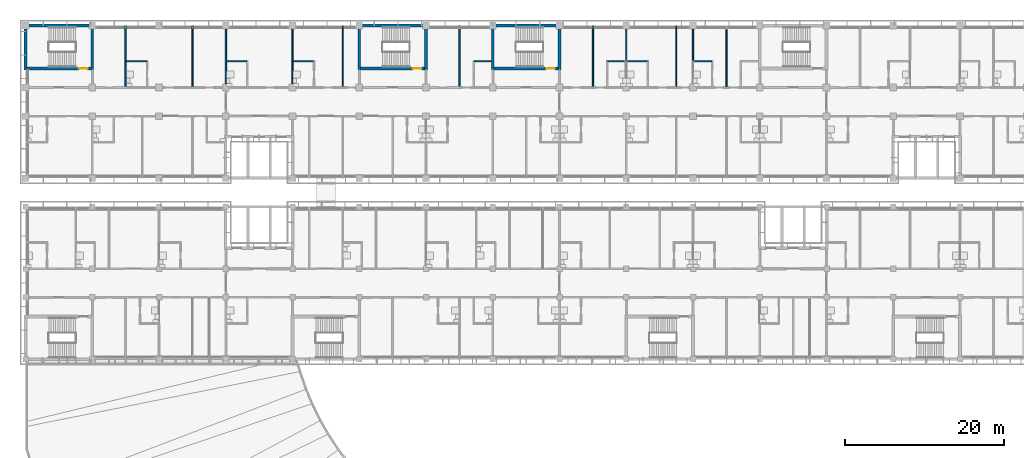
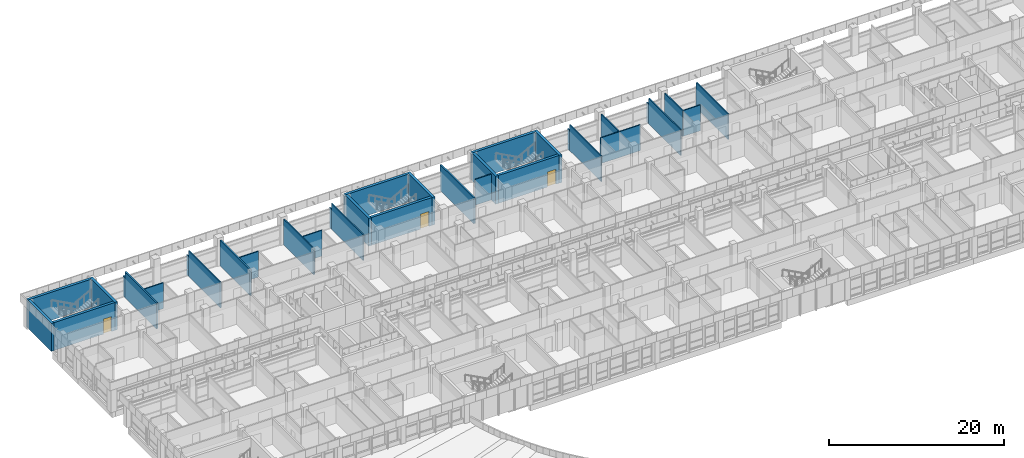
# One storey, part 43 of 74: 34 walls, 3 doors, 3 openings.
"""IFC4 building model written with IfcOpenShell, lengths in metres."""

import ifcopenshell
import ifcopenshell.guid

model = None  # the IFC model being written
_history = None  # IfcOwnerHistory: only IFC2X3 demands one
_inside = {}  # id of a spatial element -> (the spatial element, [elements in it])
_under = {}  # id of a project, library or spatial element -> (it, [spatial elements below it])
_declared = {}  # id of a project -> (the project, [libraries it declares])
_typed = {}  # id of a type object -> (the type object, [elements of that type])
_made_of = {}  # id of a material, layer set ... -> (it, [elements and type objects made of it])


def new_model(schema):
    """Start an empty IFC model of exactly this schema.

    Asked for "IFC4X3", IfcOpenShell would pick the latest addendum, in which some entities
    have other attributes; the version numbers below select the first issue.
    IFC2X3 requires an IfcOwnerHistory on every rooted entity: one is made here for all.
    """
    global model, _history
    if schema == "IFC4X3":
        model = ifcopenshell.file(schema_version=(4, 3, 0, 0))
    else:
        model = ifcopenshell.file(schema=schema)
    _inside.clear()
    _under.clear()
    _declared.clear()
    _typed.clear()
    _made_of.clear()
    _history = None
    if model.schema == "IFC2X3":
        org = make("IfcOrganization", Name="unknown")
        user = make(
            "IfcPersonAndOrganization",
            ThePerson=make("IfcPerson", FamilyName="unknown"),
            TheOrganization=org,
        )
        app = make(
            "IfcApplication",
            ApplicationDeveloper=org,
            Version="unknown",
            ApplicationFullName="unknown",
            ApplicationIdentifier="unknown",
        )
        _history = make(
            "IfcOwnerHistory",
            OwningUser=user,
            OwningApplication=app,
            ChangeAction="ADDED",
            CreationDate=0,
        )
    return model


def make(cls, **values):
    """One entity of the class cls with the attributes given. An attribute that is None is left unset."""
    return model.create_entity(
        cls, **{name: value for name, value in values.items() if value is not None}
    )


def rooted(cls, **values):
    """An entity with a GlobalId (a new one), such as an element, a storey or a relation."""
    return make(cls, GlobalId=ifcopenshell.guid.new(), OwnerHistory=_history, **values)


def si_unit(unit_type, name, prefix=None):
    """IfcSIUnit, for example si_unit("LENGTHUNIT", "METRE", prefix="MILLI")."""
    return make("IfcSIUnit", UnitType=unit_type, Prefix=prefix, Name=name)


def assignment(units):
    """IfcUnitAssignment: the units of a project."""
    return None if units is None else make("IfcUnitAssignment", Units=units)


def point(xyz):
    """IfcCartesianPoint."""
    return None if xyz is None else make("IfcCartesianPoint", Coordinates=xyz)


def direction(xyz):
    """IfcDirection."""
    return None if xyz is None else make("IfcDirection", DirectionRatios=xyz)


def frame(location, z_axis=None, x_axis=None):
    """IfcAxis2Placement3D, a coordinate frame: its origin and axes. An axis left out is left unset."""
    return make(
        "IfcAxis2Placement3D",
        Location=point(location),
        Axis=direction(z_axis),
        RefDirection=direction(x_axis),
    )


def frame_2d(location, x_axis=None):
    """IfcAxis2Placement2D, a coordinate frame in the plane: its origin and x axis."""
    return make(
        "IfcAxis2Placement2D", Location=point(location), RefDirection=direction(x_axis)
    )


def origin():
    """The frame at (0, 0, 0) with its axes left unset."""
    return frame((0.0, 0.0, 0.0))


def place(relative_to, where):
    """IfcLocalPlacement: puts the frame where relative to a parent placement (None: the world)."""
    return make(
        "IfcLocalPlacement", PlacementRelTo=relative_to, RelativePlacement=where
    )


def context(
    kind, dimensions, precision=None, world=None, true_north=None, identifier=None
):
    """IfcGeometricRepresentationContext, for example the 3D "Model" context."""
    return make(
        "IfcGeometricRepresentationContext",
        ContextIdentifier=identifier,
        ContextType=kind,
        CoordinateSpaceDimension=dimensions,
        Precision=precision,
        WorldCoordinateSystem=world,
        TrueNorth=true_north,
    )


def subcontext(parent, identifier, kind, view, scale=None):
    """IfcGeometricRepresentationSubContext, for example "Body" below "Model"."""
    return make(
        "IfcGeometricRepresentationSubContext",
        ContextIdentifier=identifier,
        ContextType=kind,
        ParentContext=parent,
        TargetScale=scale,
        TargetView=view,
    )


def project(units=None, contexts=None):
    """IfcProject with its units and contexts."""
    return rooted(
        "IfcProject",
        Name="project",
        RepresentationContexts=contexts,
        UnitsInContext=assignment(units),
    )


def spatial(cls, under=None, at=None, **own):
    """A site, building, storey or space (cls), placed at a placement, below another one or the project."""
    s = rooted(cls, ObjectPlacement=at, **own)
    if under is not None:
        _under.setdefault(under.id(), (under, []))[1].append(s)
    return s


def profile(cls, at=None, kind="AREA", **sizes):
    """A parametric profile (cls). Its sizes go by their IFC names, for example OverallWidth=200.0."""
    return make(cls, ProfileType=kind, Position=at, **sizes)


def rectangle(**sizes):
    """IfcRectangleProfileDef."""
    return profile("IfcRectangleProfileDef", **sizes)


def extrude(swept, where, along, depth):
    """IfcExtrudedAreaSolid: the profile swept, set in the frame where, extruded along a direction by depth."""
    return make(
        "IfcExtrudedAreaSolid",
        SweptArea=swept,
        Position=where,
        ExtrudedDirection=direction(along),
        Depth=depth,
    )


def shape(context_of_items, identifier, shape_type, items):
    """IfcShapeRepresentation: the items that make up one representation, for example the "Body"."""
    return make(
        "IfcShapeRepresentation",
        ContextOfItems=context_of_items,
        RepresentationIdentifier=identifier,
        RepresentationType=shape_type,
        Items=items,
    )


def material(Name=None, Category=None):
    """IfcMaterial."""
    return make("IfcMaterial", Name=Name, Category=Category)


def layer(
    of_material, thickness, ventilated=None, Name=None, Category=None, Priority=None
):
    """IfcMaterialLayer: one layer of a wall or slab, of a material (None: an air gap)."""
    return make(
        "IfcMaterialLayer",
        Material=of_material,
        LayerThickness=thickness,
        IsVentilated=ventilated,
        Name=Name,
        Category=Category,
        Priority=Priority,
    )


def layer_set(layers, Name=None):
    """IfcMaterialLayerSet."""
    return make("IfcMaterialLayerSet", MaterialLayers=layers, LayerSetName=Name)


def made_of(thing, what):
    """Note that an element or type object is made of a material, layer set ...; save() writes the relation."""
    if what is not None:
        _made_of.setdefault(what.id(), (what, []))[1].append(thing)
    return thing


def type_object(cls, material=None, **own):
    """A type object (cls), such as IfcWallType, which elements share."""
    return made_of(rooted(cls, **own), material)


def element(
    cls,
    number,
    at=None,
    inside=None,
    cuts=None,
    type_object=None,
    material=None,
    context=None,
    identifier="Body",
    shape_type=None,
    held_by="IfcProductDefinitionShape",
    body=None,
    shapes=None,
    **own,
):
    """One element of the class cls, such as IfcWall. Its Tag is "e" and its number.

    at: its placement. inside: the storey or other place that contains it. cuts: it is an
    opening in that element (IfcRelVoidsElement). A single representation is given by context,
    identifier, shape_type and body (its items); several are given by shapes. held_by: the class
    of the entity that holds the representations. save() writes the other relations.
    """
    e = rooted(cls, Tag="e%d" % number, ObjectPlacement=at, **own)
    if body is not None:
        shapes = [shape(context, identifier, shape_type, body)]
    if shapes is not None:
        e.Representation = make(held_by, Representations=shapes)
    if inside is not None:
        _inside.setdefault(inside.id(), (inside, []))[1].append(e)
    if cuts is not None:
        rooted(
            "IfcRelVoidsElement", RelatingBuildingElement=cuts, RelatedOpeningElement=e
        )
    if type_object is not None:
        _typed.setdefault(type_object.id(), (type_object, []))[1].append(e)
    return made_of(e, material)


def fill(opening, filler):
    """IfcRelFillsElement: the door or window that sits in an opening."""
    return rooted(
        "IfcRelFillsElement",
        RelatingOpeningElement=opening,
        RelatedBuildingElement=filler,
    )


def aggregate(whole, parts):
    """IfcRelAggregates: a whole, such as a stair, and the parts it consists of."""
    return rooted("IfcRelAggregates", RelatingObject=whole, RelatedObjects=parts)


def save(model, path):
    """Write the relations noted so far, then the file.

    IfcRelAggregates (storeys below a building ...), IfcRelContainedInSpatialStructure (elements
    in a storey), IfcRelDefinesByType, IfcRelAssociatesMaterial and IfcRelDeclares: one each for
    every whole, place, type object, material and project.
    """
    for whole, parts in _under.values():
        aggregate(whole, parts)
    for where, things in _inside.values():
        rooted(
            "IfcRelContainedInSpatialStructure",
            RelatedElements=things,
            RelatingStructure=where,
        )
    for kind, things in _typed.values():
        rooted("IfcRelDefinesByType", RelatedObjects=things, RelatingType=kind)
    for what, things in _made_of.values():
        rooted("IfcRelAssociatesMaterial", RelatedObjects=things, RelatingMaterial=what)
    for by, libraries in _declared.values():
        rooted("IfcRelDeclares", RelatingContext=by, RelatedDefinitions=libraries)
    model.write(path)


model = new_model("IFC4")

# Units and contexts
model_context = context("Model", 3, precision=1e-05, world=origin(), true_north=direction((0.0, 1.0)))
body_context = subcontext(model_context, "Body", "Model", "MODEL_VIEW")
ifc_project = project(units=[si_unit("LENGTHUNIT", "METRE"), si_unit("AREAUNIT", "SQUARE_METRE"), si_unit("VOLUMEUNIT", "CUBIC_METRE"), si_unit("PLANEANGLEUNIT", "RADIAN"), si_unit("MASSUNIT", "GRAM", prefix="KILO")], contexts=[model_context])

# Site, building, storey
site_placement = place(None, origin())
site = spatial("IfcSite", under=ifc_project, at=site_placement, CompositionType="ELEMENT")
building_placement = place(site_placement, origin())
building = spatial("IfcBuilding", under=site, at=building_placement, Name="Bougainvillea Quay General Hospital", CompositionType="ELEMENT")
storey_placement = place(building_placement, frame((0.0, 0.0, 21.0)))
storey = spatial("IfcBuildingStorey", under=building, at=storey_placement, Name="L04", CompositionType="ELEMENT", Elevation=21.0)

# Walls
ifc_material_1 = material(Name="Gypsum board partition on steel studs, insulated", Category="steel")
ifc_layer_1 = layer(ifc_material_1, 0.14990234375)
ifc_layer_set_1 = layer_set([ifc_layer_1], Name="Gypsum board partition on steel studs, insulated")
wall_type_1 = type_object("IfcWallType", Name="Partition 150 Gypsum board partition", PredefinedType="PARTITIONING", material=ifc_layer_set_1)
wall_1_placement = place(storey_placement, frame((63.0, 151.875, 0.0), z_axis=(0.0, 0.0, 1.0), x_axis=(0.0, 1.0, 0.0)))
element("IfcWall", 1, at=wall_1_placement, inside=storey, type_object=wall_type_1, Name="Partition 150 mm", PredefinedType="PARTITIONING", context=body_context, shape_type="SweptSolid", body=[
    extrude(rectangle(XDim=7.27490234375, YDim=0.14990234375, at=frame_2d((3.637451171875, 0.0))), origin(), (0.0, 0.0, 1.0), 3.60009765625),
])
wall_2_placement = place(storey_placement, frame((63.0, 159.14990234375, 0.0), z_axis=(0.0, 0.0, 1.0), x_axis=(0.0, 1.0, 0.0)))
element("IfcWall", 2, at=wall_2_placement, inside=storey, type_object=wall_type_1, Name="Partition 150 mm", PredefinedType="PARTITIONING", context=body_context, shape_type="SweptSolid", body=[
    extrude(rectangle(XDim=0.4501953125, YDim=0.14990234375, at=frame_2d((0.22509765625, 0.0))), origin(), (0.0, 0.0, 1.0), 2.780029296875),
])
wall_3_placement = place(storey_placement, frame((75.60009765625, 152.25, 0.0), z_axis=(0.0, 0.0, 1.0), x_axis=(0.0, 1.0, 0.0)))
element("IfcWall", 3, at=wall_3_placement, inside=storey, type_object=wall_type_1, Name="Partition 150 mm", PredefinedType="PARTITIONING", context=body_context, shape_type="SweptSolid", body=[
    extrude(rectangle(XDim=6.89990234375, YDim=0.14990234375, at=frame_2d((3.449951171875, 0.0))), origin(), (0.0, 0.0, 1.0), 3.60009765625),
])
wall_4_placement = place(storey_placement, frame((81.89990234375, 151.875, 0.0), z_axis=(0.0, 0.0, 1.0), x_axis=(0.0, 1.0, 0.0)))
element("IfcWall", 4, at=wall_4_placement, inside=storey, type_object=wall_type_1, Name="Partition 150 mm", PredefinedType="PARTITIONING", context=body_context, shape_type="SweptSolid", body=[
    extrude(rectangle(XDim=7.27490234375, YDim=0.14990234375, at=frame_2d((3.637451171875, 0.0))), origin(), (0.0, 0.0, 1.0), 3.60009765625),
])
wall_5_placement = place(storey_placement, frame((81.89990234375, 159.14990234375, 0.0), z_axis=(0.0, 0.0, 1.0), x_axis=(0.0, 1.0, 0.0)))
element("IfcWall", 5, at=wall_5_placement, inside=storey, type_object=wall_type_1, Name="Partition 150 mm", PredefinedType="PARTITIONING", context=body_context, shape_type="SweptSolid", body=[
    extrude(rectangle(XDim=0.4501953125, YDim=0.14990234375, at=frame_2d((0.22509765625, 0.0))), origin(), (0.0, 0.0, 1.0), 2.780029296875),
])
wall_6_placement = place(storey_placement, frame((113.39990234375, 151.875, 0.0), z_axis=(0.0, 0.0, 1.0), x_axis=(0.0, 1.0, 0.0)))
element("IfcWall", 6, at=wall_6_placement, inside=storey, type_object=wall_type_1, Name="Partition 150 mm", PredefinedType="PARTITIONING", context=body_context, shape_type="SweptSolid", body=[
    extrude(rectangle(XDim=7.27490234375, YDim=0.14990234375, at=frame_2d((3.637451171875, 0.0))), origin(), (0.0, 0.0, 1.0), 3.60009765625),
])
wall_7_placement = place(storey_placement, frame((113.39990234375, 159.14990234375, 0.0), z_axis=(0.0, 0.0, 1.0), x_axis=(0.0, 1.0, 0.0)))
element("IfcWall", 7, at=wall_7_placement, inside=storey, type_object=wall_type_1, Name="Partition 150 mm", PredefinedType="PARTITIONING", context=body_context, shape_type="SweptSolid", body=[
    extrude(rectangle(XDim=0.4501953125, YDim=0.14990234375, at=frame_2d((0.22509765625, 0.0))), origin(), (0.0, 0.0, 1.0), 2.780029296875),
])
wall_8_placement = place(storey_placement, frame((123.89990234375, 151.875, 0.0), z_axis=(0.0, 0.0, 1.0), x_axis=(0.0, 1.0, 0.0)))
element("IfcWall", 8, at=wall_8_placement, inside=storey, type_object=wall_type_1, Name="Partition 150 mm", PredefinedType="PARTITIONING", context=body_context, shape_type="SweptSolid", body=[
    extrude(rectangle(XDim=7.27490234375, YDim=0.14990234375, at=frame_2d((3.637451171875, 0.0))), origin(), (0.0, 0.0, 1.0), 3.60009765625),
])
wall_9_placement = place(storey_placement, frame((123.89990234375, 159.14990234375, 0.0), z_axis=(0.0, 0.0, 1.0), x_axis=(0.0, 1.0, 0.0)))
element("IfcWall", 9, at=wall_9_placement, inside=storey, type_object=wall_type_1, Name="Partition 150 mm", PredefinedType="PARTITIONING", context=body_context, shape_type="SweptSolid", body=[
    extrude(rectangle(XDim=0.4501953125, YDim=0.14990234375, at=frame_2d((0.22509765625, 0.0))), origin(), (0.0, 0.0, 1.0), 2.780029296875),
])
wall_10_placement = place(storey_placement, frame((130.199951171875, 151.875, 0.0), z_axis=(0.0, 0.0, 1.0), x_axis=(0.0, 1.0, 0.0)))
element("IfcWall", 10, at=wall_10_placement, inside=storey, type_object=wall_type_1, Name="Partition 150 mm", PredefinedType="PARTITIONING", context=body_context, shape_type="SweptSolid", body=[
    extrude(rectangle(XDim=7.27490234375, YDim=0.14990234375, at=frame_2d((3.637451171875, 0.0))), origin(), (0.0, 0.0, 1.0), 3.60009765625),
])
wall_11_placement = place(storey_placement, frame((115.125, 155.10009765625, 0.0), z_axis=(0.0, 0.0, 1.0), x_axis=(1.0, 0.0, 0.0)))
element("IfcWall", 11, at=wall_11_placement, inside=storey, type_object=wall_type_1, Name="Partition 150 mm", PredefinedType="PARTITIONING", context=body_context, shape_type="SweptSolid", body=[
    extrude(rectangle(XDim=5.25, YDim=0.14990234375, at=frame_2d((2.625, 0.0))), origin(), (0.0, 0.0, 1.0), 3.60009765625),
])
wall_12_placement = place(storey_placement, frame((117.60009765625, 155.175048828125, 0.0), z_axis=(0.0, 0.0, 1.0), x_axis=(0.0, 1.0, 0.0)))
element("IfcWall", 12, at=wall_12_placement, inside=storey, type_object=wall_type_1, Name="Partition 150 mm", PredefinedType="PARTITIONING", context=body_context, shape_type="SweptSolid", body=[
    extrude(rectangle(XDim=3.974853515625, YDim=0.14990234375, at=frame_2d((1.9873046875, 0.0))), origin(), (0.0, 0.0, 1.0), 3.60009765625),
])
wall_13_placement = place(storey_placement, frame((126.0, 155.02490234375, 0.0), z_axis=(0.0, 0.0, 1.0), x_axis=(0.0, 1.0, 0.0)))
element("IfcWall", 13, at=wall_13_placement, inside=storey, type_object=wall_type_1, Name="Partition 150 mm", PredefinedType="PARTITIONING", context=body_context, shape_type="SweptSolid", body=[
    extrude(rectangle(XDim=4.125, YDim=0.14990234375, at=frame_2d((2.0625, 0.0))), origin(), (0.0, 0.0, 1.0), 3.60009765625),
])
wall_14_placement = place(storey_placement, frame((67.300048828125, 155.10009765625, 0.0), z_axis=(0.0, 0.0, 1.0), x_axis=(1.0, 0.0, 0.0)))
element("IfcWall", 14, at=wall_14_placement, inside=storey, type_object=wall_type_1, Name="Partition 150 mm", PredefinedType="PARTITIONING", context=body_context, shape_type="SweptSolid", body=[
    extrude(rectangle(XDim=2.52490234375, YDim=0.14990234375, at=frame_2d((1.262451171875, 0.0))), origin(), (0.0, 0.0, 1.0), 3.60009765625),
])
wall_15_placement = place(storey_placement, frame((75.675048828125, 155.10009765625, 0.0), z_axis=(0.0, 0.0, 1.0), x_axis=(1.0, 0.0, 0.0)))
element("IfcWall", 15, at=wall_15_placement, inside=storey, type_object=wall_type_1, Name="Partition 150 mm", PredefinedType="PARTITIONING", context=body_context, shape_type="SweptSolid", body=[
    extrude(rectangle(XDim=2.550048828125, YDim=0.14990234375, at=frame_2d((1.27490234375, 0.0))), origin(), (0.0, 0.0, 1.0), 3.60009765625),
])
wall_16_placement = place(storey_placement, frame((54.699951171875, 155.10009765625, 0.0), z_axis=(0.0, 0.0, 1.0), x_axis=(1.0, 0.0, 0.0)))
element("IfcWall", 16, at=wall_16_placement, inside=storey, type_object=wall_type_1, Name="Partition 150 mm", PredefinedType="PARTITIONING", context=body_context, shape_type="SweptSolid", body=[
    extrude(rectangle(XDim=2.525146484375, YDim=0.14990234375, at=frame_2d((1.2626953125, 0.0))), origin(), (0.0, 0.0, 1.0), 3.60009765625),
])
wall_17_placement = place(storey_placement, frame((126.074951171875, 155.10009765625, 0.0), z_axis=(0.0, 0.0, 1.0), x_axis=(1.0, 0.0, 0.0)))
element("IfcWall", 17, at=wall_17_placement, inside=storey, type_object=wall_type_1, Name="Partition 150 mm", PredefinedType="PARTITIONING", context=body_context, shape_type="SweptSolid", body=[
    extrude(rectangle(XDim=2.25, YDim=0.14990234375, at=frame_2d((1.125, 0.0))), origin(), (0.0, 0.0, 1.0), 3.60009765625),
])
wall_18_placement = place(storey_placement, frame((98.47509765625, 155.10009765625, 0.0), z_axis=(0.0, 0.0, 1.0), x_axis=(1.0, 0.0, 0.0)))
element("IfcWall", 18, at=wall_18_placement, inside=storey, type_object=wall_type_1, Name="Partition 150 mm", PredefinedType="PARTITIONING", context=body_context, shape_type="SweptSolid", body=[
    extrude(rectangle(XDim=2.14990234375, YDim=0.14990234375, at=frame_2d((1.074951171875, 0.0))), origin(), (0.0, 0.0, 1.0), 3.60009765625),
])
ifc_material_2 = material(Name="Fire-rated autoclaved aerated block wall, plastered")
ifc_layer_2 = layer(ifc_material_2, 0.199951171875)
ifc_layer_set_2 = layer_set([ifc_layer_2], Name="Fire-rated autoclaved aerated block wall, plastered")
wall_type_2 = type_object("IfcWallType", Name="Partition 200 Fire-rated autoclaved aerated block wall EI 120", PredefinedType="SOLIDWALL", material=ifc_layer_set_2)
wall_19_placement = place(storey_placement, frame((67.199951171875, 159.14990234375, 0.0), z_axis=(0.0, 0.0, 1.0), x_axis=(0.0, -1.0, 0.0)))
element("IfcWall", 19, at=wall_19_placement, inside=storey, type_object=wall_type_2, Name="Partition 200 mm EI 120", PredefinedType="SOLIDWALL", context=body_context, shape_type="SweptSolid", body=[
    extrude(rectangle(XDim=6.89990234375, YDim=0.199951171875, at=frame_2d((3.449951171875, 0.0))), origin(), (0.0, 0.0, 1.0), 3.60009765625),
])
wall_20_placement = place(storey_placement, frame((54.60009765625, 151.89990234375, 0.0), z_axis=(0.0, 0.0, 1.0), x_axis=(0.0, 1.0, 0.0)))
element("IfcWall", 20, at=wall_20_placement, inside=storey, type_object=wall_type_2, Name="Partition 200 mm EI 120", PredefinedType="SOLIDWALL", context=body_context, shape_type="SweptSolid", body=[
    extrude(rectangle(XDim=7.25, YDim=0.199951171875, at=frame_2d((3.625, 0.0))), origin(), (0.0, 0.0, 1.0), 3.60009765625),
])
wall_21_placement = place(storey_placement, frame((54.60009765625, 159.14990234375, 0.0), z_axis=(0.0, 0.0, 1.0), x_axis=(0.0, 1.0, 0.0)))
element("IfcWall", 21, at=wall_21_placement, inside=storey, type_object=wall_type_2, Name="Partition 200 mm EI 120", PredefinedType="SOLIDWALL", context=body_context, shape_type="SweptSolid", body=[
    extrude(rectangle(XDim=0.4501953125, YDim=0.199951171875, at=frame_2d((0.22509765625, 0.0))), origin(), (0.0, 0.0, 1.0), 2.780029296875),
])
wall_22_placement = place(storey_placement, frame((96.60009765625, 151.89990234375, 0.0), z_axis=(0.0, 0.0, 1.0), x_axis=(0.0, 1.0, 0.0)))
element("IfcWall", 22, at=wall_22_placement, inside=storey, type_object=wall_type_2, Name="Partition 200 mm EI 120", PredefinedType="SOLIDWALL", context=body_context, shape_type="SweptSolid", body=[
    extrude(rectangle(XDim=7.7001953125, YDim=0.199951171875, at=frame_2d((3.85009765625, 0.0))), origin(), (0.0, 0.0, 1.0), 3.60009765625),
])
ifc_material_3 = material(Name="Concrete C40", Category="concrete")
ifc_layer_3 = layer(ifc_material_3, 0.35009765625)
ifc_layer_set_3 = layer_set([ifc_layer_3], Name="Concrete C40")
wall_type_3 = type_object("IfcWallType", Name="RC SHEAR WALL 350 C40", PredefinedType="SHEAR", material=ifc_layer_set_3)
wall_23_placement = place(storey_placement, frame((41.824951171875, 159.60009765625, 0.0), z_axis=(0.0, 0.0, 1.0), x_axis=(1.0, 0.0, 0.0)))
element("IfcWall", 23, at=wall_23_placement, inside=storey, type_object=wall_type_3, Name="Shear wall L04", PredefinedType="SHEAR", context=body_context, shape_type="SweptSolid", body=[
    extrude(rectangle(XDim=8.400146484375, YDim=0.35009765625, at=frame_2d((4.2001953125, 0.0))), origin(), (0.0, 0.0, 1.0), 3.89990234375),
])
wall_24_placement = place(storey_placement, frame((42.0, 154.02490234375, 0.0), z_axis=(0.0, 0.0, 1.0), x_axis=(0.0, 1.0, 0.0)))
element("IfcWall", 24, at=wall_24_placement, inside=storey, type_object=wall_type_3, Name="Shear wall L04", PredefinedType="SHEAR", context=body_context, shape_type="SweptSolid", body=[
    extrude(rectangle(XDim=5.400146484375, YDim=0.35009765625, at=frame_2d((2.7001953125, 0.0))), origin(), (0.0, 0.0, 1.0), 3.89990234375),
])

# Wall, opening, door
wall_25_placement = place(storey_placement, frame((42.175048828125, 154.199951171875, 0.0), z_axis=(0.0, 0.0, 1.0), x_axis=(1.0, 0.0, 0.0)))
wall_25 = element("IfcWall", 25, at=wall_25_placement, inside=storey, type_object=wall_type_3, Name="Shear wall L04", PredefinedType="SHEAR", context=body_context, shape_type="SweptSolid", body=[
    extrude(rectangle(XDim=8.050048828125, YDim=0.35009765625, at=frame_2d((4.02490234375, 0.0))), origin(), (0.0, 0.0, 1.0), 3.89990234375),
])
opening_1_placement = place(wall_25_placement, frame((6.52490234375, 0.0, 0.0)))
opening_1 = element("IfcOpeningElement", 26, at=opening_1_placement, cuts=wall_25, Name="Opening L04.141", PredefinedType="OPENING", context=body_context, shape_type="SweptSolid", body=[
    extrude(rectangle(XDim=1.10009765625, YDim=2.10009765625, at=frame_2d((0.550048828125, 1.050048828125))), frame((0.0, 0.18505859375, 0.0), z_axis=(0.0, -1.0, 0.0), x_axis=(1.0, 0.0, 0.0)), (0.0, 0.0, 1.0), 0.3701171875),
])
ifc_material_4 = material(Name="Steel fire door leaf in steel frame", Category="steel")
door_type = type_object("IfcDoorType", Name="Steel single leaf door 1100x2100 FD60", OperationType="NOTDEFINED", PredefinedType="DOOR", material=ifc_material_4)
door_1_placement = place(opening_1_placement, origin())
door_1 = element("IfcDoor", 27, at=door_1_placement, inside=storey, type_object=door_type, Name="DT04 L04.141", OperationType="SINGLE_SWING_RIGHT", OverallHeight=2.10009765625, OverallWidth=1.10009765625, PredefinedType="DOOR", context=body_context, shape_type="SweptSolid", body=[
    extrude(rectangle(XDim=1.10009765625, YDim=2.10009765625, at=frame_2d((0.550048828125, 1.050048828125))), frame((0.0, 0.02490234375, 0.0), z_axis=(0.0, -1.0, 0.0), x_axis=(1.0, 0.0, 0.0)), (0.0, 0.0, 1.0), 0.050048828125),
])
fill(opening_1, door_1)

# Walls
wall_26_placement = place(storey_placement, frame((50.39990234375, 154.02490234375, 0.0), z_axis=(0.0, 0.0, 1.0), x_axis=(0.0, 1.0, 0.0)))
element("IfcWall", 28, at=wall_26_placement, inside=storey, type_object=wall_type_3, Name="Shear wall L04", PredefinedType="SHEAR", context=body_context, shape_type="SweptSolid", body=[
    extrude(rectangle(XDim=5.75, YDim=0.35009765625, at=frame_2d((2.875, 0.0))), origin(), (0.0, 0.0, 1.0), 3.89990234375),
])
wall_27_placement = place(storey_placement, frame((83.824951171875, 159.60009765625, 0.0), z_axis=(0.0, 0.0, 1.0), x_axis=(1.0, 0.0, 0.0)))
element("IfcWall", 29, at=wall_27_placement, inside=storey, type_object=wall_type_3, Name="Shear wall L04", PredefinedType="SHEAR", context=body_context, shape_type="SweptSolid", body=[
    extrude(rectangle(XDim=8.400146484375, YDim=0.35009765625, at=frame_2d((4.2001953125, 0.0))), origin(), (0.0, 0.0, 1.0), 3.89990234375),
])
wall_28_placement = place(storey_placement, frame((84.0, 154.02490234375, 0.0), z_axis=(0.0, 0.0, 1.0), x_axis=(0.0, 1.0, 0.0)))
element("IfcWall", 30, at=wall_28_placement, inside=storey, type_object=wall_type_3, Name="Shear wall L04", PredefinedType="SHEAR", context=body_context, shape_type="SweptSolid", body=[
    extrude(rectangle(XDim=5.400146484375, YDim=0.35009765625, at=frame_2d((2.7001953125, 0.0))), origin(), (0.0, 0.0, 1.0), 3.89990234375),
])

# Wall, opening, door
wall_29_placement = place(storey_placement, frame((84.175048828125, 154.199951171875, 0.0), z_axis=(0.0, 0.0, 1.0), x_axis=(1.0, 0.0, 0.0)))
wall_29 = element("IfcWall", 31, at=wall_29_placement, inside=storey, type_object=wall_type_3, Name="Shear wall L04", PredefinedType="SHEAR", context=body_context, shape_type="SweptSolid", body=[
    extrude(rectangle(XDim=8.050048828125, YDim=0.35009765625, at=frame_2d((4.02490234375, 0.0))), origin(), (0.0, 0.0, 1.0), 3.89990234375),
])
opening_2_placement = place(wall_29_placement, frame((6.52490234375, 0.0, 0.0)))
opening_2 = element("IfcOpeningElement", 32, at=opening_2_placement, cuts=wall_29, Name="Opening L04.143", PredefinedType="OPENING", context=body_context, shape_type="SweptSolid", body=[
    extrude(rectangle(XDim=1.10009765625, YDim=2.10009765625, at=frame_2d((0.550048828125, 1.050048828125))), frame((0.0, 0.18505859375, 0.0), z_axis=(0.0, -1.0, 0.0), x_axis=(1.0, 0.0, 0.0)), (0.0, 0.0, 1.0), 0.3701171875),
])
door_2_placement = place(opening_2_placement, origin())
door_2 = element("IfcDoor", 33, at=door_2_placement, inside=storey, type_object=door_type, Name="DT04 L04.143", OperationType="SINGLE_SWING_RIGHT", OverallHeight=2.10009765625, OverallWidth=1.10009765625, PredefinedType="DOOR", context=body_context, shape_type="SweptSolid", body=[
    extrude(rectangle(XDim=1.10009765625, YDim=2.10009765625, at=frame_2d((0.550048828125, 1.050048828125))), frame((0.0, 0.02490234375, 0.0), z_axis=(0.0, -1.0, 0.0), x_axis=(1.0, 0.0, 0.0)), (0.0, 0.0, 1.0), 0.050048828125),
])
fill(opening_2, door_2)

# Walls
wall_30_placement = place(storey_placement, frame((92.39990234375, 154.02490234375, 0.0), z_axis=(0.0, 0.0, 1.0), x_axis=(0.0, 1.0, 0.0)))
element("IfcWall", 34, at=wall_30_placement, inside=storey, type_object=wall_type_3, Name="Shear wall L04", PredefinedType="SHEAR", context=body_context, shape_type="SweptSolid", body=[
    extrude(rectangle(XDim=5.75, YDim=0.35009765625, at=frame_2d((2.875, 0.0))), origin(), (0.0, 0.0, 1.0), 3.89990234375),
])
wall_31_placement = place(storey_placement, frame((100.625, 159.60009765625, 0.0), z_axis=(0.0, 0.0, 1.0), x_axis=(1.0, 0.0, 0.0)))
element("IfcWall", 35, at=wall_31_placement, inside=storey, type_object=wall_type_3, Name="Shear wall L04", PredefinedType="SHEAR", context=body_context, shape_type="SweptSolid", body=[
    extrude(rectangle(XDim=8.39990234375, YDim=0.35009765625, at=frame_2d((4.199951171875, 0.0))), origin(), (0.0, 0.0, 1.0), 3.89990234375),
])
wall_32_placement = place(storey_placement, frame((100.800048828125, 154.02490234375, 0.0), z_axis=(0.0, 0.0, 1.0), x_axis=(0.0, 1.0, 0.0)))
element("IfcWall", 36, at=wall_32_placement, inside=storey, type_object=wall_type_3, Name="Shear wall L04", PredefinedType="SHEAR", context=body_context, shape_type="SweptSolid", body=[
    extrude(rectangle(XDim=5.400146484375, YDim=0.35009765625, at=frame_2d((2.7001953125, 0.0))), origin(), (0.0, 0.0, 1.0), 3.89990234375),
])

# Wall, opening, door
wall_33_placement = place(storey_placement, frame((100.97509765625, 154.199951171875, 0.0), z_axis=(0.0, 0.0, 1.0), x_axis=(1.0, 0.0, 0.0)))
wall_33 = element("IfcWall", 37, at=wall_33_placement, inside=storey, type_object=wall_type_3, Name="Shear wall L04", PredefinedType="SHEAR", context=body_context, shape_type="SweptSolid", body=[
    extrude(rectangle(XDim=8.0498046875, YDim=0.35009765625, at=frame_2d((4.02490234375, 0.0))), origin(), (0.0, 0.0, 1.0), 3.89990234375),
])
opening_3_placement = place(wall_33_placement, frame((6.52490234375, 0.0, 0.0)))
opening_3 = element("IfcOpeningElement", 38, at=opening_3_placement, cuts=wall_33, Name="Opening L04.157", PredefinedType="OPENING", context=body_context, shape_type="SweptSolid", body=[
    extrude(rectangle(XDim=1.10009765625, YDim=2.10009765625, at=frame_2d((0.550048828125, 1.050048828125))), frame((0.0, 0.18505859375, 0.0), z_axis=(0.0, -1.0, 0.0), x_axis=(1.0, 0.0, 0.0)), (0.0, 0.0, 1.0), 0.3701171875),
])
door_3_placement = place(opening_3_placement, origin())
door_3 = element("IfcDoor", 39, at=door_3_placement, inside=storey, type_object=door_type, Name="DT04 L04.157", OperationType="SINGLE_SWING_RIGHT", OverallHeight=2.10009765625, OverallWidth=1.10009765625, PredefinedType="DOOR", context=body_context, shape_type="SweptSolid", body=[
    extrude(rectangle(XDim=1.10009765625, YDim=2.10009765625, at=frame_2d((0.550048828125, 1.050048828125))), frame((0.0, 0.02490234375, 0.0), z_axis=(0.0, -1.0, 0.0), x_axis=(1.0, 0.0, 0.0)), (0.0, 0.0, 1.0), 0.050048828125),
])
fill(opening_3, door_3)

# Wall
wall_34_placement = place(storey_placement, frame((109.199951171875, 154.02490234375, 0.0), z_axis=(0.0, 0.0, 1.0), x_axis=(0.0, 1.0, 0.0)))
element("IfcWall", 40, at=wall_34_placement, inside=storey, type_object=wall_type_3, Name="Shear wall L04", PredefinedType="SHEAR", context=body_context, shape_type="SweptSolid", body=[
    extrude(rectangle(XDim=5.75, YDim=0.35009765625, at=frame_2d((2.875, 0.0))), origin(), (0.0, 0.0, 1.0), 3.89990234375),
])

save(model, "model.ifc")
